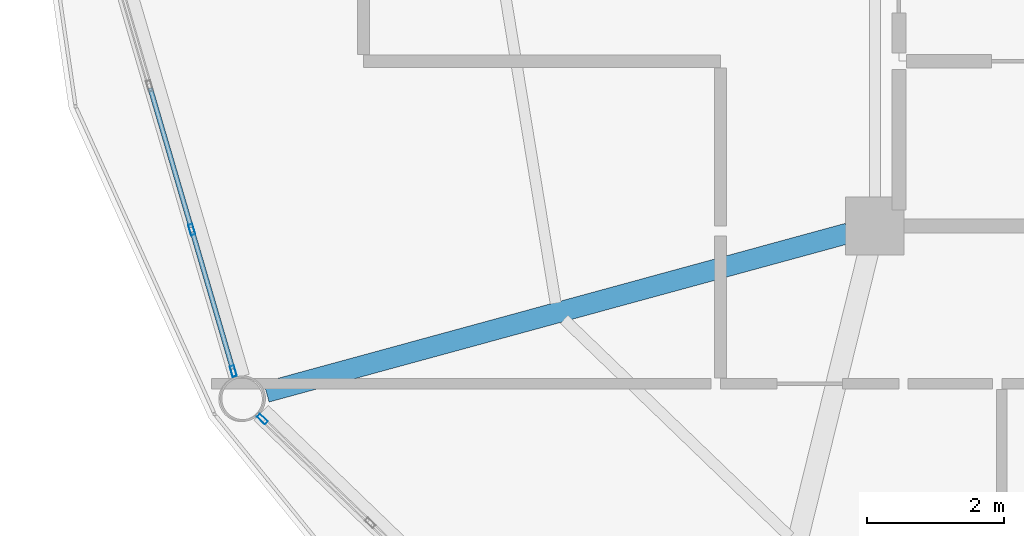
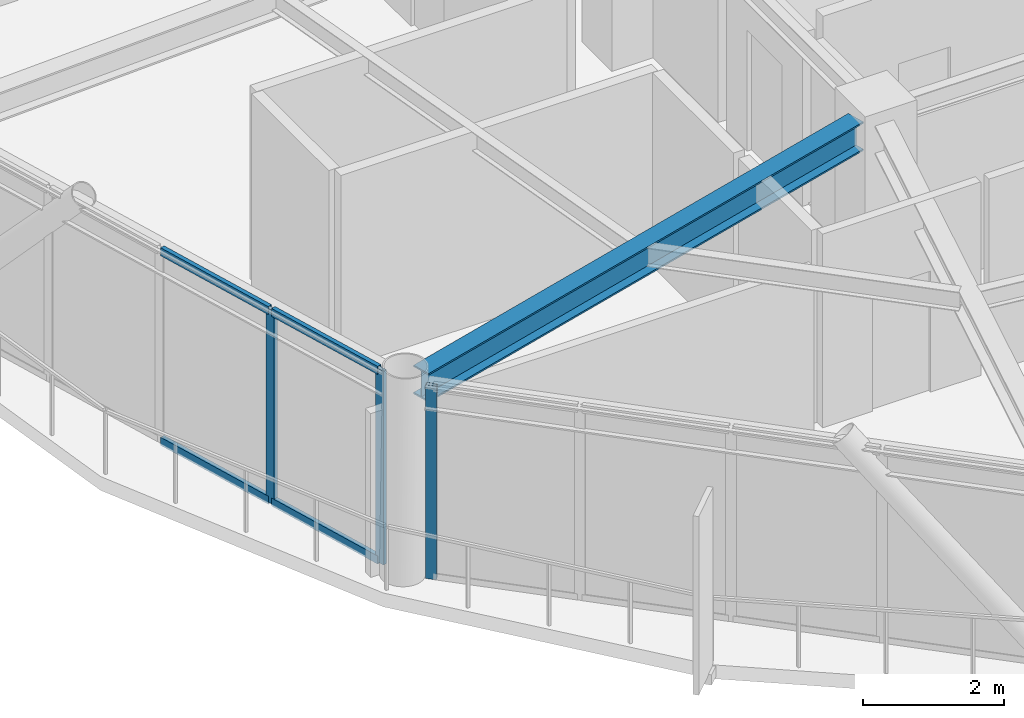
# One storey, part 4 of 28: 7 members, 1 beam, 2 elements without a shape of their own.
"""IFC4 building model written with IfcOpenShell, lengths in metres."""

from ifc_helpers import new_model, si_unit, direction, frame, origin, origin_2d, place, context, subcontext, project, spatial, hollow_rectangle, i_section, extrude, material, layer, layer_set, material_profile, profile_set, type_object, element, aggregate, save


model = new_model("IFC4")

# Units and contexts
model_context = context("Model", 3, precision=1e-05, world=origin(), true_north=direction((0.0, 1.0)))
body_context = subcontext(model_context, "Body", "Model", "MODEL_VIEW")
ifc_project = project(units=[si_unit("LENGTHUNIT", "METRE"), si_unit("AREAUNIT", "SQUARE_METRE"), si_unit("VOLUMEUNIT", "CUBIC_METRE"), si_unit("PLANEANGLEUNIT", "RADIAN"), si_unit("MASSUNIT", "GRAM", prefix="KILO")], contexts=[model_context])

# Site, building, storey
site_placement = place(None, origin())
site = spatial("IfcSite", under=ifc_project, at=site_placement, CompositionType="ELEMENT")
building_placement = place(site_placement, origin())
building = spatial("IfcBuilding", under=site, at=building_placement, Name="Varnakorn Sky Granary", CompositionType="ELEMENT")
storey_placement = place(building_placement, frame((0.0, 0.0, 214.800048828125)))
storey = spatial("IfcBuildingStorey", under=building, at=storey_placement, Name="L54", CompositionType="ELEMENT", Elevation=214.800048828125)

# Beam
ifc_material_1 = material(Name="Steel S355JR", Category="steel")
ifc_material_profile_1 = material_profile(ifc_material_1, i_section(OverallWidth=0.300048828125, OverallDepth=0.5, WebThickness=0.014404296875, FlangeThickness=0.028076171875, at=origin_2d()), Name="HE 500 B")
ifc_profile_set_1 = profile_set([ifc_material_profile_1], Name="Steel S355JR")
beam_type = type_object("IfcBeamType", Name="BM-RAD-Z4", PredefinedType="BEAM", material=ifc_profile_set_1)
beam_placement = place(storey_placement, frame((-2.74072265625, -6.706787109375, 3.10986328125), z_axis=(-0.964668206129, -0.263467743916, 0.0), x_axis=(0.263467743916, -0.964668206129, 0.0)))
element("IfcBeam", 1, at=beam_placement, inside=storey, type_object=beam_type, Name="Radial Floor Girder RG08 L54", PredefinedType="BEAM", context=body_context, shape_type="SweptSolid", body=[
    extrude(i_section(OverallWidth=0.300048828125, OverallDepth=0.5, WebThickness=0.014404296875, FlangeThickness=0.028076171875, at=origin_2d()), origin(), (0.0, 0.0, 1.0), 8.785400390625),
])

# Curtain wall, members
ifc_material_2 = material(Name="Anodised Bronze Aluminium Alloy 6063-T6", Category="aluminium")
ifc_layer = layer(ifc_material_2, 0.169921875, Name="Anodised Bronze Aluminium Alloy 6063-T6")
ifc_layer_set = layer_set([ifc_layer], Name="Anodised Bronze Aluminium Alloy 6063-T6")
curtain_wall_type = type_object("IfcCurtainWallType", Name="CW-LAB-1", PredefinedType="USERDEFINED", material=ifc_layer_set)
curtain_wall_1_placement = place(storey_placement, origin())
curtain_wall_1 = element("IfcCurtainWall", 2, at=curtain_wall_1_placement, inside=storey, type_object=curtain_wall_type, Name="Unitised Curtain Wall CW5 CW-L54-B07", ObjectType="CURTAIN WALL", PredefinedType="USERDEFINED")
ifc_material_profile_2 = material_profile(ifc_material_2, hollow_rectangle(XDim=0.06494140625, YDim=0.159912109375, WallThickness=0.00341796875, at=origin_2d()), Name="ALU MULL 65x160")
ifc_profile_set_2 = profile_set([ifc_material_profile_2], Name="Anodised Bronze Aluminium Alloy 6063-T6")
member_type_1 = type_object("IfcMemberType", Name="CW-LAB-1-MULL", PredefinedType="MULLION", material=ifc_profile_set_2)
member_1_placement = place(storey_placement, frame((-11.697509765625, -8.715576171875, 0.0), z_axis=(0.0, 0.0, 1.0), x_axis=(-0.959539962352, -0.281572478502, 0.0)))
member_1 = element("IfcMember", 3, at=member_1_placement, type_object=member_type_1, Name="CW5 mullion 1", PredefinedType="MULLION", context=body_context, shape_type="SweptSolid", body=[
    extrude(hollow_rectangle(XDim=0.06494140625, YDim=0.159912109375, WallThickness=0.00341796875, at=origin_2d()), origin(), (0.0, 0.0, 1.0), 3.35986328125),
])
member_2_placement = place(storey_placement, frame((-12.302490234375, -6.653564453125, 0.0), z_axis=(0.0, 0.0, 1.0), x_axis=(-0.959539962352, -0.281572478502, 0.0)))
member_2 = element("IfcMember", 4, at=member_2_placement, type_object=member_type_1, Name="CW5 mullion 2", PredefinedType="MULLION", context=body_context, shape_type="SweptSolid", body=[
    extrude(hollow_rectangle(XDim=0.06494140625, YDim=0.159912109375, WallThickness=0.00341796875, at=origin_2d()), origin(), (0.0, 0.0, 1.0), 3.35986328125),
])

# Curtain wall, member
curtain_wall_2_placement = place(storey_placement, origin())
curtain_wall_2 = element("IfcCurtainWall", 5, at=curtain_wall_2_placement, inside=storey, type_object=curtain_wall_type, Name="Unitised Curtain Wall CW5 CW-L54-B08", ObjectType="CURTAIN WALL", PredefinedType="USERDEFINED")
member_3_placement = place(storey_placement, frame((-11.27392578125, -9.413818359375, 0.0), z_axis=(0.0, 0.0, 1.0), x_axis=(-0.693140093091, -0.72080289355, 0.0)))
member_3 = element("IfcMember", 6, at=member_3_placement, type_object=member_type_1, Name="CW5 mullion 5", PredefinedType="MULLION", context=body_context, shape_type="SweptSolid", body=[
    extrude(hollow_rectangle(XDim=0.06494140625, YDim=0.159912109375, WallThickness=0.00341796875, at=origin_2d()), origin(), (0.0, 0.0, 1.0), 3.35986328125),
])
aggregate(curtain_wall_2, [member_3])

# Member
ifc_material_profile_3 = material_profile(ifc_material_2, hollow_rectangle(XDim=0.070068359375, YDim=0.139892578125, WallThickness=0.00341796875, at=origin_2d()), Name="ALU TRAN 70x140")
ifc_profile_set_3 = profile_set([ifc_material_profile_3], Name="Anodised Bronze Aluminium Alloy 6063-T6")
member_type_2 = type_object("IfcMemberType", Name="CW-LAB-1-TRAN", PredefinedType="USERDEFINED", material=ifc_profile_set_3)
member_4_placement = place(storey_placement, frame((-11.70654296875, -8.684326171875, 0.034912109375), z_axis=(-0.281646163783, 0.959518336681, 0.0), x_axis=(-0.959518336681, -0.281646163783, 0.0)))
member_4 = element("IfcMember", 7, at=member_4_placement, type_object=member_type_2, Name="CW5 transom 1.1", ObjectType="TRANSOM", PredefinedType="USERDEFINED", context=body_context, shape_type="SweptSolid", body=[
    extrude(hollow_rectangle(XDim=0.070068359375, YDim=0.139892578125, WallThickness=0.00341796875, at=origin_2d()), origin(), (0.0, 0.0, 1.0), 2.083984375),
])

member_5_placement = place(storey_placement, frame((-11.70654296875, -8.684326171875, 3.324951171875), z_axis=(-0.281646163783, 0.959518336681, 0.0), x_axis=(-0.959518336681, -0.281646163783, 0.0)))
member_5 = element("IfcMember", 8, at=member_5_placement, type_object=member_type_2, Name="CW5 transom 1.2", ObjectType="TRANSOM", PredefinedType="USERDEFINED", context=body_context, shape_type="SweptSolid", body=[
    extrude(hollow_rectangle(XDim=0.070068359375, YDim=0.139892578125, WallThickness=0.00341796875, at=origin_2d()), origin(), (0.0, 0.0, 1.0), 2.083984375),
])

member_6_placement = place(storey_placement, frame((-12.311767578125, -6.62255859375, 0.034912109375), z_axis=(-0.28158544815, 0.959536156375, 0.0), x_axis=(-0.959536156375, -0.28158544815, 0.0)))
member_6 = element("IfcMember", 9, at=member_6_placement, type_object=member_type_2, Name="CW5 transom 2.1", ObjectType="TRANSOM", PredefinedType="USERDEFINED", context=body_context, shape_type="SweptSolid", body=[
    extrude(hollow_rectangle(XDim=0.070068359375, YDim=0.139892578125, WallThickness=0.00341796875, at=origin_2d()), origin(), (0.0, 0.0, 1.0), 2.116455078125),
])

member_7_placement = place(storey_placement, frame((-12.311767578125, -6.62255859375, 3.324951171875), z_axis=(-0.28158544815, 0.959536156375, 0.0), x_axis=(-0.959536156375, -0.28158544815, 0.0)))
member_7 = element("IfcMember", 10, at=member_7_placement, type_object=member_type_2, Name="CW5 transom 2.2", ObjectType="TRANSOM", PredefinedType="USERDEFINED", context=body_context, shape_type="SweptSolid", body=[
    extrude(hollow_rectangle(XDim=0.070068359375, YDim=0.139892578125, WallThickness=0.00341796875, at=origin_2d()), origin(), (0.0, 0.0, 1.0), 2.116455078125),
])

aggregate(curtain_wall_1, [member_1, member_2, member_4, member_5, member_6, member_7])

save(model, "model.ifc")
